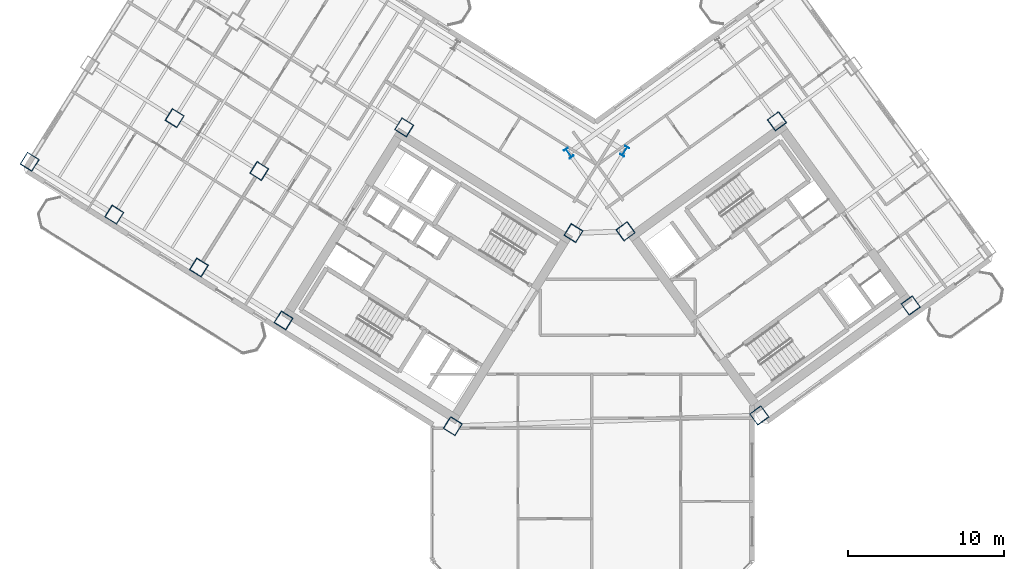
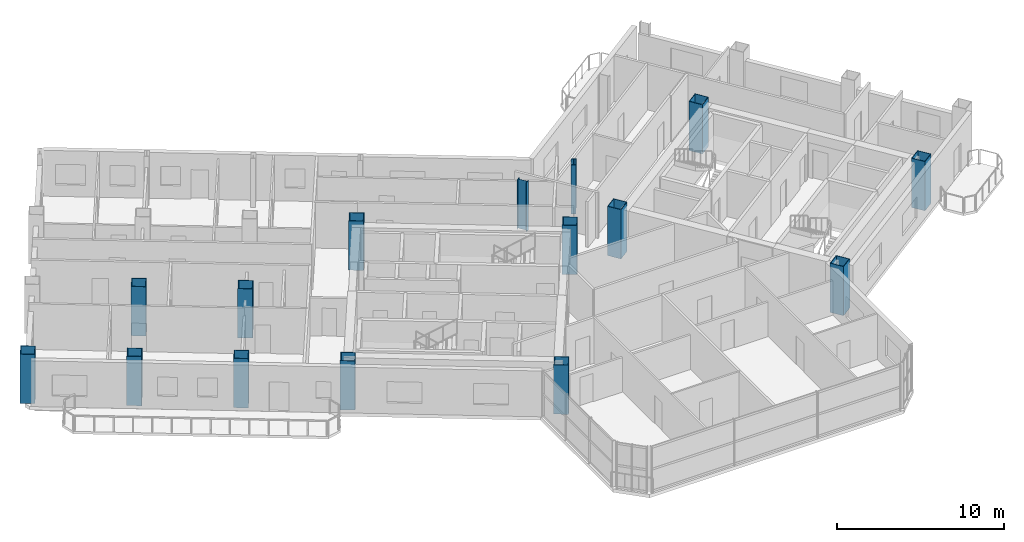
# One storey, part 1 of 20: 15 columns.
"""IFC4 building model written with IfcOpenShell, lengths in metres."""

import ifcopenshell
import ifcopenshell.guid

model = None  # the IFC model being written
_history = None  # IfcOwnerHistory: only IFC2X3 demands one
_inside = {}  # id of a spatial element -> (the spatial element, [elements in it])
_under = {}  # id of a project, library or spatial element -> (it, [spatial elements below it])
_declared = {}  # id of a project -> (the project, [libraries it declares])
_typed = {}  # id of a type object -> (the type object, [elements of that type])
_made_of = {}  # id of a material, layer set ... -> (it, [elements and type objects made of it])


def new_model(schema):
    """Start an empty IFC model of exactly this schema.

    Asked for "IFC4X3", IfcOpenShell would pick the latest addendum, in which some entities
    have other attributes; the version numbers below select the first issue.
    IFC2X3 requires an IfcOwnerHistory on every rooted entity: one is made here for all.
    """
    global model, _history
    if schema == "IFC4X3":
        model = ifcopenshell.file(schema_version=(4, 3, 0, 0))
    else:
        model = ifcopenshell.file(schema=schema)
    _inside.clear()
    _under.clear()
    _declared.clear()
    _typed.clear()
    _made_of.clear()
    _history = None
    if model.schema == "IFC2X3":
        org = make("IfcOrganization", Name="unknown")
        user = make(
            "IfcPersonAndOrganization",
            ThePerson=make("IfcPerson", FamilyName="unknown"),
            TheOrganization=org,
        )
        app = make(
            "IfcApplication",
            ApplicationDeveloper=org,
            Version="unknown",
            ApplicationFullName="unknown",
            ApplicationIdentifier="unknown",
        )
        _history = make(
            "IfcOwnerHistory",
            OwningUser=user,
            OwningApplication=app,
            ChangeAction="ADDED",
            CreationDate=0,
        )
    return model


def make(cls, **values):
    """One entity of the class cls with the attributes given. An attribute that is None is left unset."""
    return model.create_entity(
        cls, **{name: value for name, value in values.items() if value is not None}
    )


def rooted(cls, **values):
    """An entity with a GlobalId (a new one), such as an element, a storey or a relation."""
    return make(cls, GlobalId=ifcopenshell.guid.new(), OwnerHistory=_history, **values)


def si_unit(unit_type, name, prefix=None):
    """IfcSIUnit, for example si_unit("LENGTHUNIT", "METRE", prefix="MILLI")."""
    return make("IfcSIUnit", UnitType=unit_type, Prefix=prefix, Name=name)


def assignment(units):
    """IfcUnitAssignment: the units of a project."""
    return None if units is None else make("IfcUnitAssignment", Units=units)


def point(xyz):
    """IfcCartesianPoint."""
    return None if xyz is None else make("IfcCartesianPoint", Coordinates=xyz)


def direction(xyz):
    """IfcDirection."""
    return None if xyz is None else make("IfcDirection", DirectionRatios=xyz)


def frame(location, z_axis=None, x_axis=None):
    """IfcAxis2Placement3D, a coordinate frame: its origin and axes. An axis left out is left unset."""
    return make(
        "IfcAxis2Placement3D",
        Location=point(location),
        Axis=direction(z_axis),
        RefDirection=direction(x_axis),
    )


def frame_2d(location, x_axis=None):
    """IfcAxis2Placement2D, a coordinate frame in the plane: its origin and x axis."""
    return make(
        "IfcAxis2Placement2D", Location=point(location), RefDirection=direction(x_axis)
    )


def origin():
    """The frame at (0, 0, 0) with its axes left unset."""
    return frame((0.0, 0.0, 0.0))


def origin_2d():
    """The frame at (0, 0) in the plane with its x axis left unset."""
    return frame_2d((0.0, 0.0))


def place(relative_to, where):
    """IfcLocalPlacement: puts the frame where relative to a parent placement (None: the world)."""
    return make(
        "IfcLocalPlacement", PlacementRelTo=relative_to, RelativePlacement=where
    )


def context(
    kind, dimensions, precision=None, world=None, true_north=None, identifier=None
):
    """IfcGeometricRepresentationContext, for example the 3D "Model" context."""
    return make(
        "IfcGeometricRepresentationContext",
        ContextIdentifier=identifier,
        ContextType=kind,
        CoordinateSpaceDimension=dimensions,
        Precision=precision,
        WorldCoordinateSystem=world,
        TrueNorth=true_north,
    )


def subcontext(parent, identifier, kind, view, scale=None):
    """IfcGeometricRepresentationSubContext, for example "Body" below "Model"."""
    return make(
        "IfcGeometricRepresentationSubContext",
        ContextIdentifier=identifier,
        ContextType=kind,
        ParentContext=parent,
        TargetScale=scale,
        TargetView=view,
    )


def project(units=None, contexts=None):
    """IfcProject with its units and contexts."""
    return rooted(
        "IfcProject",
        Name="project",
        RepresentationContexts=contexts,
        UnitsInContext=assignment(units),
    )


def spatial(cls, under=None, at=None, **own):
    """A site, building, storey or space (cls), placed at a placement, below another one or the project."""
    s = rooted(cls, ObjectPlacement=at, **own)
    if under is not None:
        _under.setdefault(under.id(), (under, []))[1].append(s)
    return s


def profile(cls, at=None, kind="AREA", **sizes):
    """A parametric profile (cls). Its sizes go by their IFC names, for example OverallWidth=200.0."""
    return make(cls, ProfileType=kind, Position=at, **sizes)


def hollow_rectangle(**sizes):
    """IfcRectangleHollowProfileDef."""
    return profile("IfcRectangleHollowProfileDef", **sizes)


def i_section(**sizes):
    """IfcIShapeProfileDef."""
    return profile("IfcIShapeProfileDef", **sizes)


def extrude(swept, where, along, depth):
    """IfcExtrudedAreaSolid: the profile swept, set in the frame where, extruded along a direction by depth."""
    return make(
        "IfcExtrudedAreaSolid",
        SweptArea=swept,
        Position=where,
        ExtrudedDirection=direction(along),
        Depth=depth,
    )


def shape(context_of_items, identifier, shape_type, items):
    """IfcShapeRepresentation: the items that make up one representation, for example the "Body"."""
    return make(
        "IfcShapeRepresentation",
        ContextOfItems=context_of_items,
        RepresentationIdentifier=identifier,
        RepresentationType=shape_type,
        Items=items,
    )


def source(mapping_origin, context_of_items, identifier, shape_type, items):
    """IfcRepresentationMap: a shape defined once, which mapped items show again and again."""
    return make(
        "IfcRepresentationMap",
        MappingOrigin=mapping_origin,
        MappedRepresentation=shape(context_of_items, identifier, shape_type, items),
    )


def transform(
    local_origin,
    x_axis=None,
    y_axis=None,
    z_axis=None,
    scale=None,
    scale2=None,
    scale3=None,
    uniform=True,
):
    """IfcCartesianTransformationOperator3D, or its non-uniform kind. x_axis, y_axis, z_axis: its Axis1, 2, 3."""
    if uniform:
        return make(
            "IfcCartesianTransformationOperator3D",
            Axis1=direction(x_axis),
            Axis2=direction(y_axis),
            LocalOrigin=point(local_origin),
            Scale=scale,
            Axis3=direction(z_axis),
        )
    return make(
        "IfcCartesianTransformationOperator3DnonUniform",
        Axis1=direction(x_axis),
        Axis2=direction(y_axis),
        LocalOrigin=point(local_origin),
        Scale=scale,
        Axis3=direction(z_axis),
        Scale2=scale2,
        Scale3=scale3,
    )


def mapped(mapping_source, mapping_target):
    """IfcMappedItem: shows the shape of a source again, moved by a transform."""
    return make(
        "IfcMappedItem", MappingSource=mapping_source, MappingTarget=mapping_target
    )


def material(Name=None, Category=None):
    """IfcMaterial."""
    return make("IfcMaterial", Name=Name, Category=Category)


def material_profile(
    of_material, cross_section, Name=None, Category=None, Priority=None
):
    """IfcMaterialProfile: a cross section and its material."""
    return make(
        "IfcMaterialProfile",
        Name=Name,
        Material=of_material,
        Profile=cross_section,
        Priority=Priority,
        Category=Category,
    )


def profile_set(profiles, Name=None, composite=None):
    """IfcMaterialProfileSet."""
    return make(
        "IfcMaterialProfileSet",
        Name=Name,
        MaterialProfiles=profiles,
        CompositeProfile=composite,
    )


def made_of(thing, what):
    """Note that an element or type object is made of a material, layer set ...; save() writes the relation."""
    if what is not None:
        _made_of.setdefault(what.id(), (what, []))[1].append(thing)
    return thing


def type_object(cls, material=None, **own):
    """A type object (cls), such as IfcWallType, which elements share."""
    return made_of(rooted(cls, **own), material)


def element(
    cls,
    number,
    at=None,
    inside=None,
    cuts=None,
    type_object=None,
    material=None,
    context=None,
    identifier="Body",
    shape_type=None,
    held_by="IfcProductDefinitionShape",
    body=None,
    shapes=None,
    **own,
):
    """One element of the class cls, such as IfcWall. Its Tag is "e" and its number.

    at: its placement. inside: the storey or other place that contains it. cuts: it is an
    opening in that element (IfcRelVoidsElement). A single representation is given by context,
    identifier, shape_type and body (its items); several are given by shapes. held_by: the class
    of the entity that holds the representations. save() writes the other relations.
    """
    e = rooted(cls, Tag="e%d" % number, ObjectPlacement=at, **own)
    if body is not None:
        shapes = [shape(context, identifier, shape_type, body)]
    if shapes is not None:
        e.Representation = make(held_by, Representations=shapes)
    if inside is not None:
        _inside.setdefault(inside.id(), (inside, []))[1].append(e)
    if cuts is not None:
        rooted(
            "IfcRelVoidsElement", RelatingBuildingElement=cuts, RelatedOpeningElement=e
        )
    if type_object is not None:
        _typed.setdefault(type_object.id(), (type_object, []))[1].append(e)
    return made_of(e, material)


def aggregate(whole, parts):
    """IfcRelAggregates: a whole, such as a stair, and the parts it consists of."""
    return rooted("IfcRelAggregates", RelatingObject=whole, RelatedObjects=parts)


def save(model, path):
    """Write the relations noted so far, then the file.

    IfcRelAggregates (storeys below a building ...), IfcRelContainedInSpatialStructure (elements
    in a storey), IfcRelDefinesByType, IfcRelAssociatesMaterial and IfcRelDeclares: one each for
    every whole, place, type object, material and project.
    """
    for whole, parts in _under.values():
        aggregate(whole, parts)
    for where, things in _inside.values():
        rooted(
            "IfcRelContainedInSpatialStructure",
            RelatedElements=things,
            RelatingStructure=where,
        )
    for kind, things in _typed.values():
        rooted("IfcRelDefinesByType", RelatedObjects=things, RelatingType=kind)
    for what, things in _made_of.values():
        rooted("IfcRelAssociatesMaterial", RelatedObjects=things, RelatingMaterial=what)
    for by, libraries in _declared.values():
        rooted("IfcRelDeclares", RelatingContext=by, RelatedDefinitions=libraries)
    model.write(path)


model = new_model("IFC4")

# Units and contexts
model_context = context("Model", 3, precision=1e-05, world=origin(), true_north=direction((0.0, 1.0)))
body_context = subcontext(model_context, "Body", "Model", "MODEL_VIEW")
ifc_project = project(units=[si_unit("LENGTHUNIT", "METRE"), si_unit("AREAUNIT", "SQUARE_METRE"), si_unit("VOLUMEUNIT", "CUBIC_METRE"), si_unit("PLANEANGLEUNIT", "RADIAN"), si_unit("MASSUNIT", "GRAM", prefix="KILO")], contexts=[model_context])

# Site, building, storey
site_placement = place(None, origin())
site = spatial("IfcSite", under=ifc_project, at=site_placement, CompositionType="ELEMENT")
building_placement = place(site_placement, origin())
building = spatial("IfcBuilding", under=site, at=building_placement, Name="Tlacorven Tower", CompositionType="ELEMENT")
storey_placement = place(building_placement, frame((0.0, 0.0, 116.10009765625)))
storey = spatial("IfcBuildingStorey", under=building, at=storey_placement, Name="L29", CompositionType="ELEMENT", Elevation=116.10009765625)

# Columns
ifc_material = material(Name="Steel S460M", Category="steel")
ifc_material_profile_1 = material_profile(ifc_material, i_section(OverallWidth=0.300048828125, OverallDepth=0.64990234375, WebThickness=0.01611328125, FlangeThickness=0.031005859375, at=origin_2d()), Name="HEB 650")
ifc_profile_set_1 = profile_set([ifc_material_profile_1], Name="Steel S460M")
column_type_1 = type_object("IfcColumnType", Name="COL-TWR-P1", PredefinedType="COLUMN", material=ifc_profile_set_1)
shared_shape_1 = source(origin(), body_context, "Body", "SweptSolid", [
    extrude(i_section(OverallWidth=0.300048828125, OverallDepth=0.64990234375, WebThickness=0.01611328125, FlangeThickness=0.031005859375, at=origin_2d()), origin(), (0.0, 0.0, 1.0), 3.599853515625),
])
for number, where, z_axis, x_axis, name in (
    (1, (44.068359375, 29.726318359375, 0.0), (0.0, 0.0, 1.0), (-0.848048096156, 0.529919264233, 0.0), "L29 column COL-L29-W1-1"),
    (2, (40.4794921875, 29.60107421875, 0.0), (0.0, 0.0, 1.0), (0.809016994375, 0.587785252292, 0.0), "L29 column COL-L29-E1-4"),
):
    element("IfcColumn", number, at=place(storey_placement, frame(where, z_axis=z_axis, x_axis=x_axis)), inside=storey, type_object=column_type_1, Name=name, PredefinedType="COLUMN", context=body_context, shape_type="MappedRepresentation", body=[
        mapped(shared_shape_1, transform((0.0, 0.0, 0.0), scale=1.0)),
    ])
ifc_material_profile_2 = material_profile(ifc_material, hollow_rectangle(XDim=0.89990234375, YDim=0.89990234375, WallThickness=0.035888671875, at=origin_2d()), Name="BOX 900X900X36")
ifc_profile_set_2 = profile_set([ifc_material_profile_2], Name="Steel S460M")
column_type_2 = type_object("IfcColumnType", Name="COL-TWR-S2", PredefinedType="COLUMN", material=ifc_profile_set_2)
shared_shape_2 = source(origin(), body_context, "Body", "SweptSolid", [
    extrude(hollow_rectangle(XDim=0.89990234375, YDim=0.89990234375, WallThickness=0.035888671875, at=origin_2d()), origin(), (0.0, 0.0, 1.0), 3.599853515625),
])
for number, where, z_axis, x_axis, name in (
    (3, (40.782958984375, 24.468505859375, 0.0), (0.0, 0.0, 1.0), (-0.848048096156, 0.529919264233, 0.0), "L29 column COL-L29-W1-2"),
    (4, (33.046142578125, 12.0869140625, 0.0), (0.0, 0.0, 1.0), (-0.848048096156, 0.529919264233, 0.0), "L29 column COL-L29-W1-4"),
    (5, (29.927978515625, 31.25146484375, 0.0), (0.0, 0.0, 1.0), (-0.848048096156, 0.529919264233, 0.0), "L29 column COL-L29-W3-2"),
    (6, (22.191162109375, 18.869873046875, 0.0), (0.0, 0.0, 1.0), (-0.848048096156, 0.529919264233, 0.0), "L29 column COL-L29-W3-4"),
    (7, (20.632080078125, 28.4521484375, 0.0), (0.0, 0.0, 1.0), (-0.848048096156, 0.529919264233, 0.0), "L29 column COL-L29-W4-3"),
    (8, (16.763671875, 22.26123046875, 0.0), (0.0, 0.0, 1.0), (-0.848048096156, 0.529919264233, 0.0), "L29 column COL-L29-W4-4"),
    (9, (15.20458984375, 31.843505859375, 0.0), (0.0, 0.0, 1.0), (-0.848048096156, 0.529919264233, 0.0), "L29 column COL-L29-W5-3"),
    (10, (11.336181640625, 25.65283203125, 0.0), (0.0, 0.0, 1.0), (-0.848048096156, 0.529919264233, 0.0), "L29 column COL-L29-W5-4"),
    (11, (5.90869140625, 29.044189453125, 0.0), (0.0, 0.0, 1.0), (-0.848048096156, 0.529919264233, 0.0), "L29 column COL-L29-W6-4"),
    (12, (52.705322265625, 12.7734375, 0.0), (0.0, 0.0, 1.0), (0.809016994375, 0.587785252292, 0.0), "L29 column COL-L29-E1-1"),
    (13, (44.123779296875, 24.5849609375, 0.0), (0.0, 0.0, 1.0), (0.809016994375, 0.587785252292, 0.0), "L29 column COL-L29-E1-3"),
    (14, (62.41357421875, 19.826904296875, 0.0), (0.0, 0.0, 1.0), (0.809016994375, 0.587785252292, 0.0), "L29 column COL-L29-E3-1"),
    (15, (53.83203125, 31.638427734375, 0.0), (0.0, 0.0, 1.0), (0.809016994375, 0.587785252292, 0.0), "L29 column COL-L29-E3-3"),
):
    element("IfcColumn", number, at=place(storey_placement, frame(where, z_axis=z_axis, x_axis=x_axis)), inside=storey, type_object=column_type_2, Name=name, PredefinedType="COLUMN", context=body_context, shape_type="MappedRepresentation", body=[
        mapped(shared_shape_2, transform((0.0, 0.0, 0.0), scale=1.0)),
    ])

save(model, "model.ifc")
